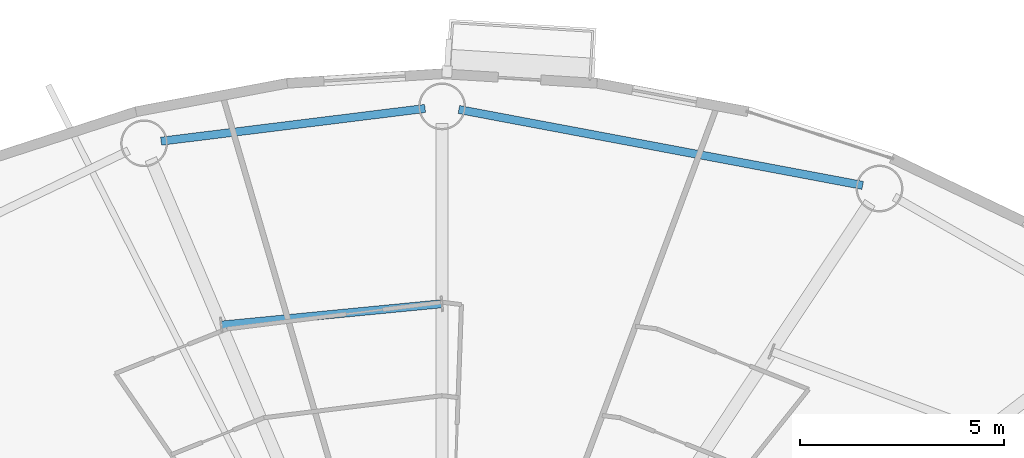
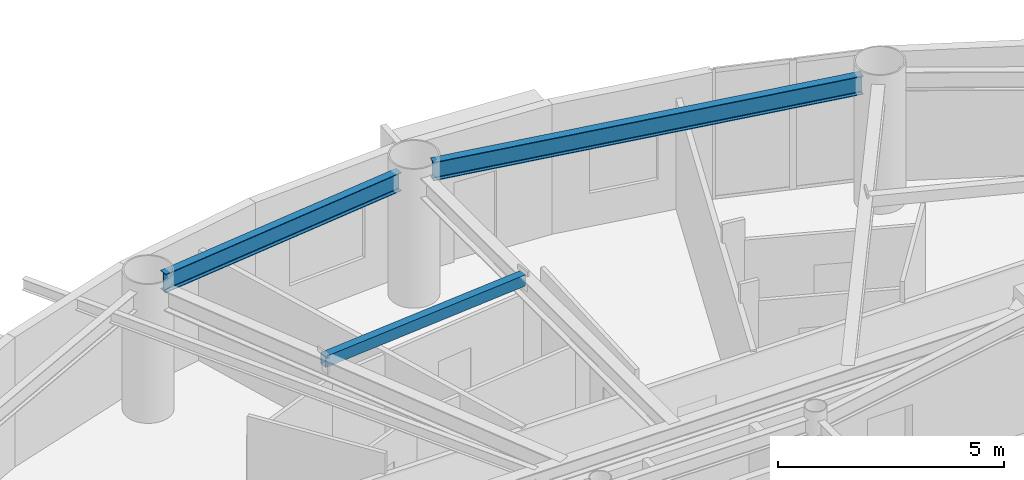
# One storey, part 4 of 22: 3 beams.
"""IFC4 building model written with IfcOpenShell, lengths in metres."""

from ifc_helpers import new_model, si_unit, direction, frame, origin, origin_2d, place, context, subcontext, project, spatial, hollow_rectangle, i_section, extrude, material, material_profile, profile_set, type_object, element, save


model = new_model("IFC4")

# Units and contexts
model_context = context("Model", 3, precision=1e-05, world=origin(), true_north=direction((0.0, 1.0)))
body_context = subcontext(model_context, "Body", "Model", "MODEL_VIEW")
ifc_project = project(units=[si_unit("LENGTHUNIT", "METRE"), si_unit("AREAUNIT", "SQUARE_METRE"), si_unit("VOLUMEUNIT", "CUBIC_METRE"), si_unit("PLANEANGLEUNIT", "RADIAN"), si_unit("MASSUNIT", "GRAM", prefix="KILO")], contexts=[model_context])

# Site, building, storey
site_placement = place(None, origin())
site = spatial("IfcSite", under=ifc_project, at=site_placement, CompositionType="ELEMENT")
building_placement = place(site_placement, origin())
building = spatial("IfcBuilding", under=site, at=building_placement, Name="Linh Dai School and Residence Tower", CompositionType="ELEMENT")
storey_placement = place(building_placement, frame((0.0, 0.0, 214.050048828125)))
storey = spatial("IfcBuildingStorey", under=building, at=storey_placement, Name="L52", CompositionType="ELEMENT", Elevation=214.050048828125)

# Beams
ifc_material = material(Name="Structural Steel S355JR", Category="steel")
ifc_material_profile_1 = material_profile(ifc_material, hollow_rectangle(XDim=0.199951171875, YDim=0.300048828125, WallThickness=0.010009765625, at=origin_2d()), Name="RHS 300x200x10")
ifc_profile_set_1 = profile_set([ifc_material_profile_1], Name="Structural Steel S355JR")
beam_type_1 = type_object("IfcBeamType", Name="BM-BX3", PredefinedType="BEAM", material=ifc_profile_set_1)
beam_1_placement = place(storey_placement, frame((35.9951171875, 40.3369140625, 3.349853515625), z_axis=(-0.99533180868, -0.096512126851, 0.0), x_axis=(0.096512126851, -0.99533180868, 0.0)))
element("IfcBeam", 1, at=beam_1_placement, inside=storey, type_object=beam_type_1, Name="L52 Secondary Circumferential Floor Beam 03", PredefinedType="BEAM", context=body_context, shape_type="SweptSolid", body=[
    extrude(hollow_rectangle(XDim=0.199951171875, YDim=0.300048828125, WallThickness=0.010009765625, at=origin_2d()), origin(), (0.0, 0.0, 1.0), 5.438720703125),
])
ifc_material_profile_2 = material_profile(ifc_material, i_section(OverallWidth=0.199951171875, OverallDepth=0.5, WebThickness=0.01025390625, FlangeThickness=0.01611328125, FilletRadius=0.02099609375, at=origin_2d()), Name="IPE 500")
ifc_profile_set_2 = profile_set([ifc_material_profile_2], Name="Structural Steel S355JR")
beam_type_2 = type_object("IfcBeamType", Name="BM-RB50", PredefinedType="BEAM", material=ifc_profile_set_2)
beam_2_placement = place(storey_placement, frame((46.32177734375, 43.240966796875, 3.25), z_axis=(-0.982806607762, 0.184637947722, 0.0), x_axis=(-0.184637947722, -0.982806607762, 0.0)))
element("IfcBeam", 2, at=beam_2_placement, inside=storey, type_object=beam_type_2, Name="L52 Perimeter Elliptical Ring Beam 04", PredefinedType="BEAM", context=body_context, shape_type="SweptSolid", body=[
    extrude(i_section(OverallWidth=0.199951171875, OverallDepth=0.5, WebThickness=0.01025390625, FlangeThickness=0.01611328125, FilletRadius=0.02099609375, at=origin_2d()), origin(), (0.0, 0.0, 1.0), 10.082275390625),
])
beam_3_placement = place(storey_placement, frame((35.583251953125, 45.12841796875, 3.25), z_axis=(-0.992401656104, -0.123040452539, 0.0), x_axis=(0.123040452539, -0.992401656104, 0.0)))
element("IfcBeam", 3, at=beam_3_placement, inside=storey, type_object=beam_type_2, Name="L52 Perimeter Elliptical Ring Beam 05", PredefinedType="BEAM", context=body_context, shape_type="SweptSolid", body=[
    extrude(i_section(OverallWidth=0.199951171875, OverallDepth=0.5, WebThickness=0.01025390625, FlangeThickness=0.01611328125, FilletRadius=0.02099609375, at=origin_2d()), origin(), (0.0, 0.0, 1.0), 6.528076171875),
])

save(model, "model.ifc")
